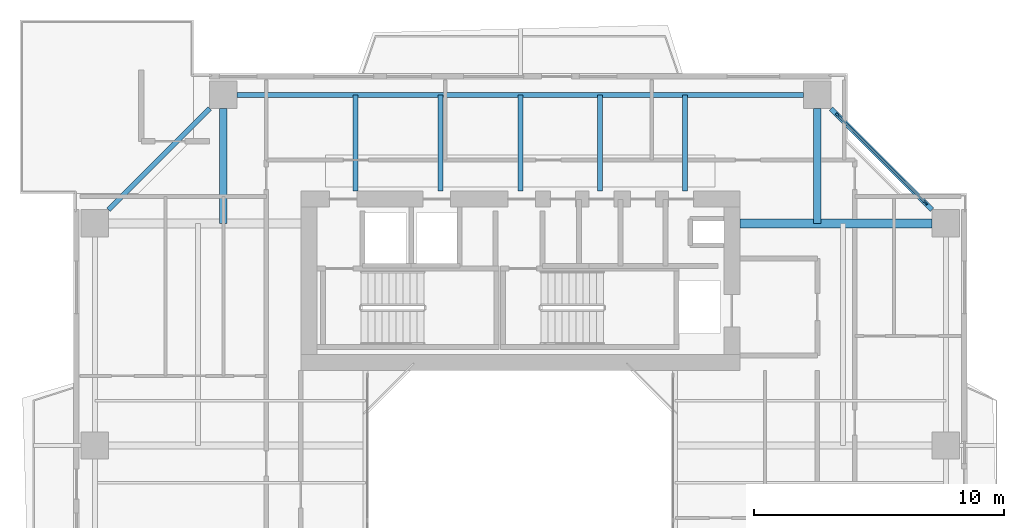
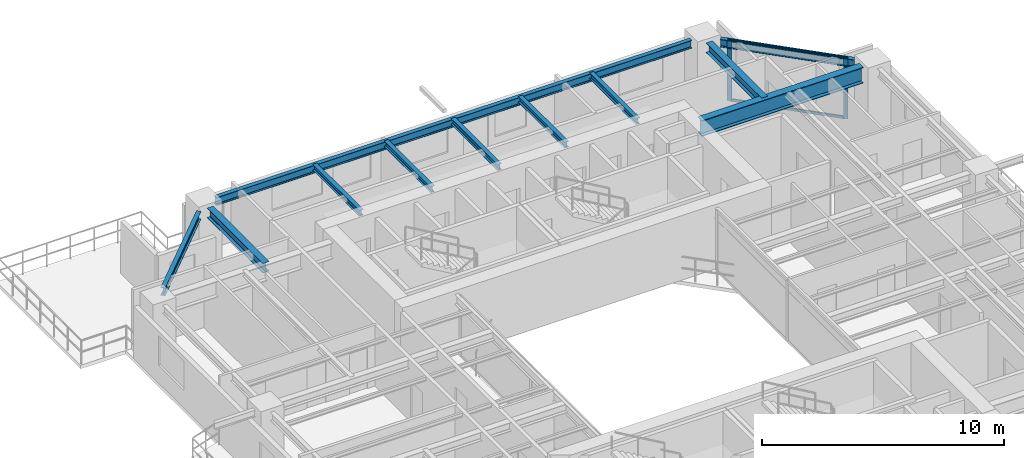
# One storey, part 8 of 17: 11 beams, 4 members, 1 element without a shape of its own.
"""IFC4 building model written with IfcOpenShell, lengths in metres."""

from ifc_helpers import new_model, si_unit, direction, frame, origin, origin_2d, place, context, subcontext, project, spatial, rectangle, i_section, extrude, source, transform, mapped, material, layer, layer_set, material_profile, profile_set, type_object, element, aggregate, save


model = new_model("IFC4")

# Units and contexts
model_context = context("Model", 3, precision=1e-05, world=origin(), true_north=direction((0.0, 1.0)))
body_context = subcontext(model_context, "Body", "Model", "MODEL_VIEW")
ifc_project = project(units=[si_unit("LENGTHUNIT", "METRE"), si_unit("AREAUNIT", "SQUARE_METRE"), si_unit("VOLUMEUNIT", "CUBIC_METRE"), si_unit("PLANEANGLEUNIT", "RADIAN"), si_unit("MASSUNIT", "GRAM", prefix="KILO"), si_unit("THERMODYNAMICTEMPERATUREUNIT", "KELVIN"), si_unit("POWERUNIT", "WATT")], contexts=[model_context])

# Site, building, storey
site_placement = place(None, origin())
site = spatial("IfcSite", under=ifc_project, at=site_placement, CompositionType="ELEMENT")
building_placement = place(site_placement, origin())
building = spatial("IfcBuilding", under=site, at=building_placement, Name="Qiaomeng Ring Towers", CompositionType="ELEMENT")
storey_placement = place(building_placement, frame((0.0, 0.0, 132.75)))
storey = spatial("IfcBuildingStorey", under=building, at=storey_placement, Name="L38", CompositionType="ELEMENT", Elevation=132.75)

# Beams
ifc_material_1 = material(Name="Steel Q355B", Category="steel")
ifc_material_profile_1 = material_profile(ifc_material_1, i_section(OverallWidth=0.199951171875, OverallDepth=0.39990234375, WebThickness=0.008056640625, FlangeThickness=0.012939453125, FilletRadius=0.01611328125, at=origin_2d()), Name="HN 400x200x8x13")
ifc_profile_set_1 = profile_set([ifc_material_profile_1], Name="Steel Q355B")
beam_type_1 = type_object("IfcBeamType", Name="STR-BM-HN400", PredefinedType="SPANDREL", material=ifc_profile_set_1)
shared_shape_1 = source(origin(), body_context, "Body", "SweptSolid", [
    extrude(i_section(OverallWidth=0.199951171875, OverallDepth=0.39990234375, WebThickness=0.008056640625, FlangeThickness=0.012939453125, FilletRadius=0.01611328125, at=origin_2d()), origin(), (0.0, 0.0, 1.0), 22.7021484375),
])
beam_1_placement = place(storey_placement, frame((30.35107421875, 40.050048828125, 2.8701171875), z_axis=(-1.0, 0.0, 0.0), x_axis=(0.0, -1.0, 0.0)))
element("IfcBeam", 1, at=beam_1_placement, inside=storey, type_object=beam_type_1, Name="L38 beam STR-SP-L38-T1-N2-N1", PredefinedType="SPANDREL", context=body_context, shape_type="MappedRepresentation", body=[
    mapped(shared_shape_1, transform((0.0, 0.0, 0.0), x_axis=(1.0, 0.0, 0.0), y_axis=(0.0, 1.0, 0.0), z_axis=(0.0, 0.0, 1.0), scale=1.0)),
])
shared_shape_2 = source(origin(), body_context, "Body", "SweptSolid", [
    extrude(i_section(OverallWidth=0.199951171875, OverallDepth=0.39990234375, WebThickness=0.008056640625, FlangeThickness=0.012939453125, FilletRadius=0.01611328125, at=origin_2d()), origin(), (0.0, 0.0, 1.0), 5.729736328125),
])
for number, where, z_axis, x_axis, name in (
    (2, (35.500732421875, 35.44921875, 2.8701171875), (-0.707106781187, 0.707106781187, 0.0), (-0.707106781187, -0.707106781187, 0.0), "L38 beam STR-SP-L38-T1-E4-N2"),
    (3, (6.55078125, 39.500732421875, 2.8701171875), (-0.707106781187, -0.707106781187, 0.0), (0.707106781187, -0.707106781187, 0.0), "L38 beam STR-SP-L38-T1-N1-W4"),
):
    element("IfcBeam", number, at=place(storey_placement, frame(where, z_axis=z_axis, x_axis=x_axis)), inside=storey, type_object=beam_type_1, Name=name, PredefinedType="SPANDREL", context=body_context, shape_type="MappedRepresentation", body=[
        mapped(shared_shape_2, transform((0.0, 0.0, 0.0), x_axis=(1.0, 0.0, 0.0), y_axis=(0.0, 1.0, 0.0), z_axis=(0.0, 0.0, 1.0), scale=1.0)),
    ])
ifc_material_2 = material(Name="Steel Q390GJC", Category="steel")
ifc_material_profile_2 = material_profile(ifc_material_2, i_section(OverallWidth=0.35009765625, OverallDepth=0.800048828125, WebThickness=0.01611328125, FlangeThickness=0.028076171875, at=origin_2d()), Name="WH 800x350x16x28")
ifc_profile_set_2 = profile_set([ifc_material_profile_2], Name="Steel Q390GJC")
beam_type_2 = type_object("IfcBeamType", Name="STR-BM-WH800", PredefinedType="BEAM", material=ifc_profile_set_2)
shared_shape_3 = source(origin(), body_context, "Body", "SweptSolid", [
    extrude(i_section(OverallWidth=0.35009765625, OverallDepth=0.800048828125, WebThickness=0.01611328125, FlangeThickness=0.028076171875, at=origin_2d()), origin(), (0.0, 0.0, 1.0), 7.700927734375),
])
beam_2_placement = place(storey_placement, frame((27.800048828125, 34.89990234375, 2.669921875), z_axis=(1.0, 0.0, 0.0), x_axis=(0.0, 1.0, 0.0)))
element("IfcBeam", 4, at=beam_2_placement, inside=storey, type_object=beam_type_2, Name="L38 beam STR-BM-L38-T1-RAD-E4", PredefinedType="BEAM", context=body_context, shape_type="MappedRepresentation", body=[
    mapped(shared_shape_3, transform((0.0, 0.0, 0.0), x_axis=(1.0, 0.0, 0.0), y_axis=(0.0, 1.0, 0.0), z_axis=(0.0, 0.0, 1.0), scale=1.0)),
])
ifc_material_profile_3 = material_profile(ifc_material_1, i_section(OverallWidth=0.300048828125, OverallDepth=0.488037109375, WebThickness=0.010986328125, FlangeThickness=0.01806640625, FilletRadius=0.02587890625, at=origin_2d()), Name="HM 488x300x11x18")
ifc_profile_set_3 = profile_set([ifc_material_profile_3], Name="Steel Q355B")
beam_type_3 = type_object("IfcBeamType", Name="STR-BM-HM488", PredefinedType="BEAM", material=ifc_profile_set_3)
shared_shape_4 = source(origin(), body_context, "Body", "SweptSolid", [
    extrude(i_section(OverallWidth=0.300048828125, OverallDepth=0.488037109375, WebThickness=0.010986328125, FlangeThickness=0.01806640625, FilletRadius=0.02587890625, at=origin_2d()), origin(), (0.0, 0.0, 1.0), 4.60107421875),
])
for number, where, z_axis, x_axis, name in (
    (5, (7.10009765625, 39.5009765625, 2.825927734375), (0.0, -1.0, 0.0), (1.0, 0.0, 0.0), "L38 beam STR-BM-L38-T1-RAD-N1"),
    (6, (30.89990234375, 39.5009765625, 2.825927734375), (0.0, -1.0, 0.0), (1.0, 0.0, 0.0), "L38 beam STR-BM-L38-T1-RAD-N2"),
):
    element("IfcBeam", number, at=place(storey_placement, frame(where, z_axis=z_axis, x_axis=x_axis)), inside=storey, type_object=beam_type_3, Name=name, PredefinedType="BEAM", context=body_context, shape_type="MappedRepresentation", body=[
        mapped(shared_shape_4, transform((0.0, 0.0, 0.0), x_axis=(1.0, 0.0, 0.0), y_axis=(0.0, 1.0, 0.0), z_axis=(0.0, 0.0, 1.0), scale=1.0)),
    ])
ifc_material_profile_4 = material_profile(ifc_material_1, i_section(OverallWidth=0.199951171875, OverallDepth=0.2939453125, WebThickness=0.008056640625, FlangeThickness=0.011962890625, FilletRadius=0.01806640625, at=origin_2d()), Name="HM 294x200x8x12")
ifc_profile_set_4 = profile_set([ifc_material_profile_4], Name="Steel Q355B")
beam_type_4 = type_object("IfcBeamType", Name="STR-BM-HM294", PredefinedType="JOIST", material=ifc_profile_set_4)
shared_shape_5 = source(origin(), body_context, "Body", "SweptSolid", [
    extrude(i_section(OverallWidth=0.199951171875, OverallDepth=0.2939453125, WebThickness=0.008056640625, FlangeThickness=0.011962890625, FilletRadius=0.01806640625, at=origin_2d()), origin(), (0.0, 0.0, 1.0), 3.85009765625),
])
for number, where, z_axis, x_axis, name in (
    (7, (12.39990234375, 36.199951171875, 2.923095703125), (0.0, 1.0, 0.0), (-1.0, 0.0, 0.0), "L38 beam STR-JST-L38-T1N-1"),
    (8, (15.800048828125, 36.199951171875, 2.923095703125), (0.0, 1.0, 0.0), (-1.0, 0.0, 0.0), "L38 beam STR-JST-L38-T1N-2"),
    (9, (19.0, 36.199951171875, 2.923095703125), (0.0, 1.0, 0.0), (-1.0, 0.0, 0.0), "L38 beam STR-JST-L38-T1N-3"),
    (10, (22.199951171875, 36.199951171875, 2.923095703125), (0.0, 1.0, 0.0), (-1.0, 0.0, 0.0), "L38 beam STR-JST-L38-T1N-4"),
    (11, (25.60009765625, 36.199951171875, 2.923095703125), (0.0, 1.0, 0.0), (-1.0, 0.0, 0.0), "L38 beam STR-JST-L38-T1N-5"),
):
    element("IfcBeam", number, at=place(storey_placement, frame(where, z_axis=z_axis, x_axis=x_axis)), inside=storey, type_object=beam_type_4, Name=name, PredefinedType="JOIST", context=body_context, shape_type="MappedRepresentation", body=[
        mapped(shared_shape_5, transform((0.0, 0.0, 0.0), x_axis=(1.0, 0.0, 0.0), y_axis=(0.0, 1.0, 0.0), z_axis=(0.0, 0.0, 1.0), scale=1.0)),
    ])

# Curtain wall, members
ifc_material_3 = material(Name="Fluorocarbon dark-grey aluminium", Category="aluminium")
ifc_layer = layer(ifc_material_3, 0.14990234375, Name="Fluorocarbon dark-grey aluminium")
ifc_layer_set = layer_set([ifc_layer], Name="Fluorocarbon dark-grey aluminium")
curtain_wall_type = type_object("IfcCurtainWallType", Name="ARC-CW-3", PredefinedType="NOTDEFINED", material=ifc_layer_set)
curtain_wall_placement = place(storey_placement, origin())
curtain_wall = element("IfcCurtainWall", 12, at=curtain_wall_placement, inside=storey, type_object=curtain_wall_type, Name="L38 Curtain Wall CW3", PredefinedType="NOTDEFINED")
ifc_material_profile_5 = material_profile(ifc_material_3, rectangle(XDim=0.070068359375, YDim=0.179931640625, at=origin_2d()), Name="ALU MULL 70x180")
ifc_profile_set_5 = profile_set([ifc_material_profile_5], Name="Fluorocarbon dark-grey aluminium")
member_type_1 = type_object("IfcMemberType", Name="ARC-CWM-160", PredefinedType="MULLION", material=ifc_profile_set_5)
shared_shape_6 = source(origin(), body_context, "Body", "SweptSolid", [
    extrude(rectangle(XDim=0.070068359375, YDim=0.179931640625, at=origin_2d()), origin(), (0.0, 0.0, 1.0), 3.070068359375),
])
member_1_placement = place(storey_placement, frame((35.2353515625, 35.71484375, 0.0), z_axis=(0.0, 0.0, 1.0), x_axis=(-0.707106781187, -0.707106781187, 0.0)))
member_1 = element("IfcMember", 13, at=member_1_placement, type_object=member_type_1, Name="CW3 mullion 1", PredefinedType="MULLION", context=body_context, shape_type="MappedRepresentation", body=[
    mapped(shared_shape_6, transform((0.0, 0.0, 0.0), x_axis=(1.0, 0.0, 0.0), y_axis=(0.0, 1.0, 0.0), z_axis=(0.0, 0.0, 1.0), scale=1.0)),
])
member_2_placement = place(storey_placement, frame((31.71484375, 39.2353515625, 0.0), z_axis=(0.0, 0.0, 1.0), x_axis=(-0.707106781187, -0.707106781187, 0.0)))
member_2 = element("IfcMember", 14, at=member_2_placement, type_object=member_type_1, Name="CW3 mullion 2", PredefinedType="MULLION", context=body_context, shape_type="MappedRepresentation", body=[
    mapped(shared_shape_6, transform((0.0, 0.0, 0.0), x_axis=(1.0, 0.0, 0.0), y_axis=(0.0, 1.0, 0.0), z_axis=(0.0, 0.0, 1.0), scale=1.0)),
])
ifc_material_profile_6 = material_profile(ifc_material_3, rectangle(XDim=0.06494140625, YDim=0.1298828125, at=origin_2d()), Name="ALU TRAN 65x130")
ifc_profile_set_6 = profile_set([ifc_material_profile_6], Name="Fluorocarbon dark-grey aluminium")
member_type_2 = type_object("IfcMemberType", Name="ARC-CWT-120", PredefinedType="USERDEFINED", material=ifc_profile_set_6)
shared_shape_7 = source(origin(), body_context, "Body", "SweptSolid", [
    extrude(rectangle(XDim=0.06494140625, YDim=0.1298828125, at=origin_2d()), origin(), (0.0, 0.0, 1.0), 4.90869140625),
])
member_3_placement = place(storey_placement, frame((35.21044921875, 35.739501953125, 0.032470703125), z_axis=(-0.707106781187, 0.707106781187, 0.0), x_axis=(-0.707106781187, -0.707106781187, 0.0)))
member_3 = element("IfcMember", 15, at=member_3_placement, type_object=member_type_2, Name="CW3 transom 1.1", ObjectType="TRANSOM", PredefinedType="USERDEFINED", context=body_context, shape_type="MappedRepresentation", body=[
    mapped(shared_shape_7, transform((0.0, 0.0, 0.0), x_axis=(1.0, 0.0, 0.0), y_axis=(0.0, 1.0, 0.0), z_axis=(0.0, 0.0, 1.0), scale=1.0)),
])
member_4_placement = place(storey_placement, frame((35.21044921875, 35.739501953125, 3.03759765625), z_axis=(-0.707106781187, 0.707106781187, 0.0), x_axis=(-0.707106781187, -0.707106781187, 0.0)))
member_4 = element("IfcMember", 16, at=member_4_placement, type_object=member_type_2, Name="CW3 transom 1.2", ObjectType="TRANSOM", PredefinedType="USERDEFINED", context=body_context, shape_type="MappedRepresentation", body=[
    mapped(shared_shape_7, transform((0.0, 0.0, 0.0), x_axis=(1.0, 0.0, 0.0), y_axis=(0.0, 1.0, 0.0), z_axis=(0.0, 0.0, 1.0), scale=1.0)),
])
aggregate(curtain_wall, [member_1, member_2, member_3, member_4])

save(model, "model.ifc")
